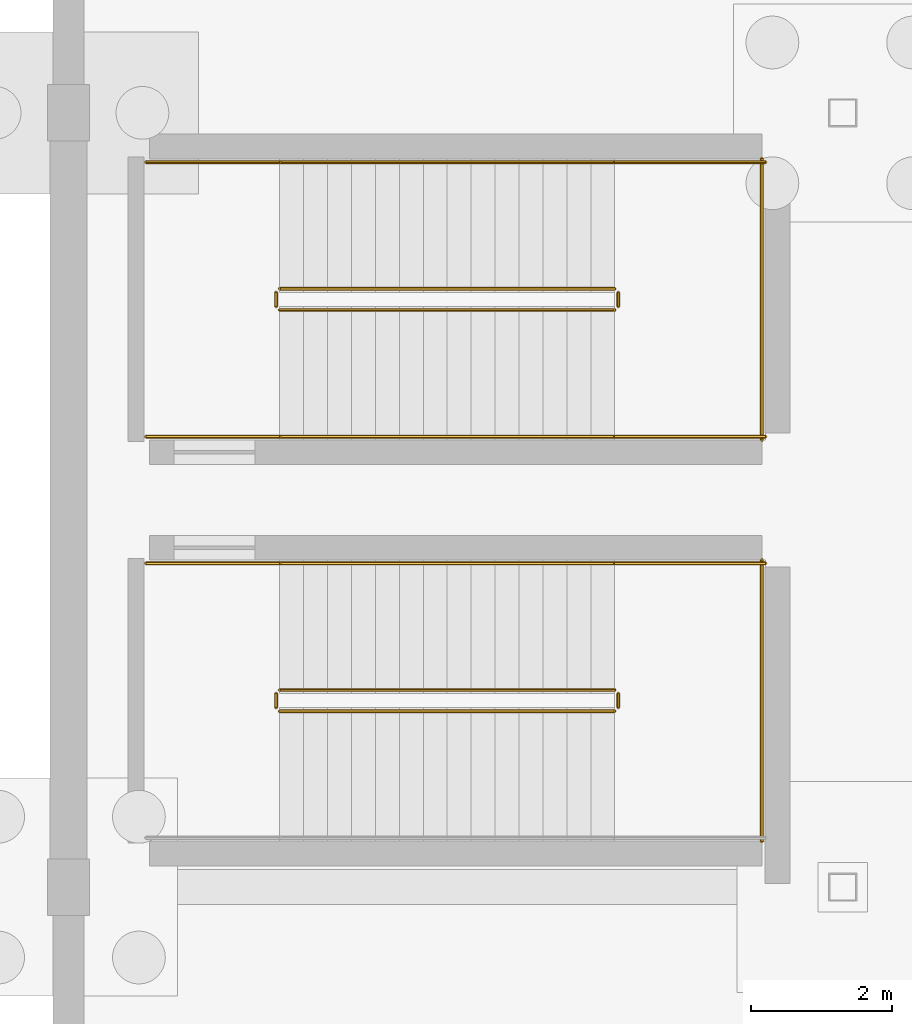
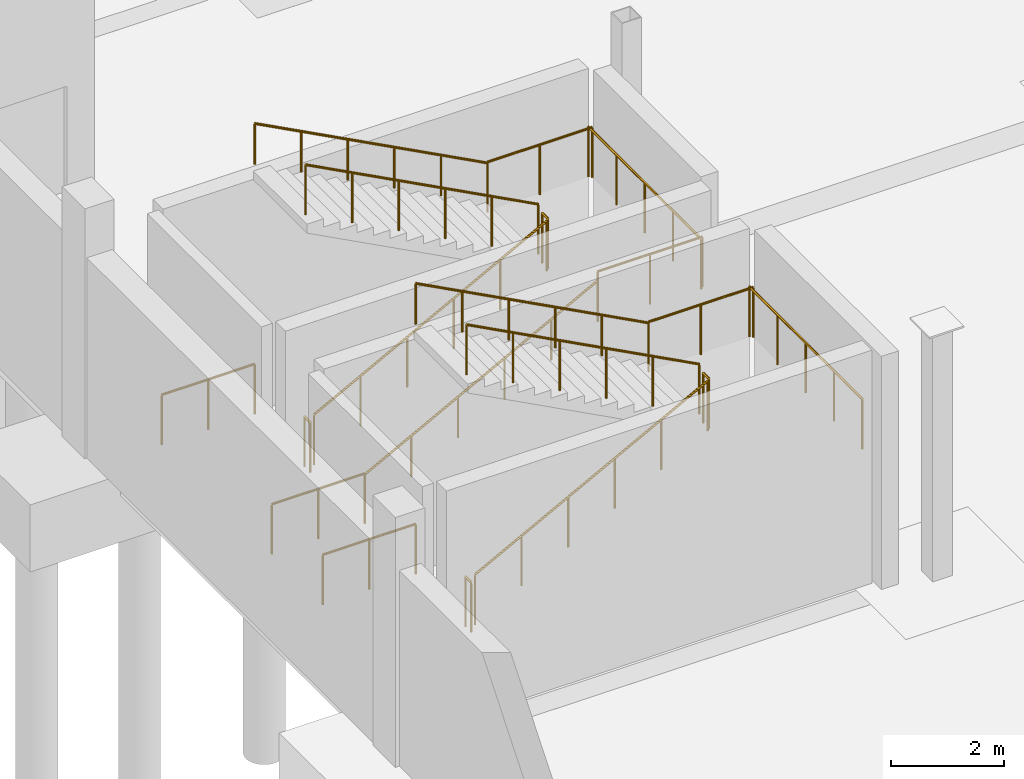
# One storey, part 49 of 60: 19 railings.
"""IFC4 building model written with IfcOpenShell, lengths in metres."""

import ifcopenshell
import ifcopenshell.guid

model = None  # the IFC model being written
_history = None  # IfcOwnerHistory: only IFC2X3 demands one
_inside = {}  # id of a spatial element -> (the spatial element, [elements in it])
_under = {}  # id of a project, library or spatial element -> (it, [spatial elements below it])
_declared = {}  # id of a project -> (the project, [libraries it declares])
_typed = {}  # id of a type object -> (the type object, [elements of that type])
_made_of = {}  # id of a material, layer set ... -> (it, [elements and type objects made of it])


def new_model(schema):
    """Start an empty IFC model of exactly this schema.

    Asked for "IFC4X3", IfcOpenShell would pick the latest addendum, in which some entities
    have other attributes; the version numbers below select the first issue.
    IFC2X3 requires an IfcOwnerHistory on every rooted entity: one is made here for all.
    """
    global model, _history
    if schema == "IFC4X3":
        model = ifcopenshell.file(schema_version=(4, 3, 0, 0))
    else:
        model = ifcopenshell.file(schema=schema)
    _inside.clear()
    _under.clear()
    _declared.clear()
    _typed.clear()
    _made_of.clear()
    _history = None
    if model.schema == "IFC2X3":
        org = make("IfcOrganization", Name="unknown")
        user = make(
            "IfcPersonAndOrganization",
            ThePerson=make("IfcPerson", FamilyName="unknown"),
            TheOrganization=org,
        )
        app = make(
            "IfcApplication",
            ApplicationDeveloper=org,
            Version="unknown",
            ApplicationFullName="unknown",
            ApplicationIdentifier="unknown",
        )
        _history = make(
            "IfcOwnerHistory",
            OwningUser=user,
            OwningApplication=app,
            ChangeAction="ADDED",
            CreationDate=0,
        )
    return model


def make(cls, **values):
    """One entity of the class cls with the attributes given. An attribute that is None is left unset."""
    return model.create_entity(
        cls, **{name: value for name, value in values.items() if value is not None}
    )


def rooted(cls, **values):
    """An entity with a GlobalId (a new one), such as an element, a storey or a relation."""
    return make(cls, GlobalId=ifcopenshell.guid.new(), OwnerHistory=_history, **values)


def si_unit(unit_type, name, prefix=None):
    """IfcSIUnit, for example si_unit("LENGTHUNIT", "METRE", prefix="MILLI")."""
    return make("IfcSIUnit", UnitType=unit_type, Prefix=prefix, Name=name)


def assignment(units):
    """IfcUnitAssignment: the units of a project."""
    return None if units is None else make("IfcUnitAssignment", Units=units)


def point(xyz):
    """IfcCartesianPoint."""
    return None if xyz is None else make("IfcCartesianPoint", Coordinates=xyz)


def direction(xyz):
    """IfcDirection."""
    return None if xyz is None else make("IfcDirection", DirectionRatios=xyz)


def frame(location, z_axis=None, x_axis=None):
    """IfcAxis2Placement3D, a coordinate frame: its origin and axes. An axis left out is left unset."""
    return make(
        "IfcAxis2Placement3D",
        Location=point(location),
        Axis=direction(z_axis),
        RefDirection=direction(x_axis),
    )


def frame_2d(location, x_axis=None):
    """IfcAxis2Placement2D, a coordinate frame in the plane: its origin and x axis."""
    return make(
        "IfcAxis2Placement2D", Location=point(location), RefDirection=direction(x_axis)
    )


def origin():
    """The frame at (0, 0, 0) with its axes left unset."""
    return frame((0.0, 0.0, 0.0))


def origin_2d():
    """The frame at (0, 0) in the plane with its x axis left unset."""
    return frame_2d((0.0, 0.0))


def place(relative_to, where):
    """IfcLocalPlacement: puts the frame where relative to a parent placement (None: the world)."""
    return make(
        "IfcLocalPlacement", PlacementRelTo=relative_to, RelativePlacement=where
    )


def context(
    kind, dimensions, precision=None, world=None, true_north=None, identifier=None
):
    """IfcGeometricRepresentationContext, for example the 3D "Model" context."""
    return make(
        "IfcGeometricRepresentationContext",
        ContextIdentifier=identifier,
        ContextType=kind,
        CoordinateSpaceDimension=dimensions,
        Precision=precision,
        WorldCoordinateSystem=world,
        TrueNorth=true_north,
    )


def subcontext(parent, identifier, kind, view, scale=None):
    """IfcGeometricRepresentationSubContext, for example "Body" below "Model"."""
    return make(
        "IfcGeometricRepresentationSubContext",
        ContextIdentifier=identifier,
        ContextType=kind,
        ParentContext=parent,
        TargetScale=scale,
        TargetView=view,
    )


def project(units=None, contexts=None):
    """IfcProject with its units and contexts."""
    return rooted(
        "IfcProject",
        Name="project",
        RepresentationContexts=contexts,
        UnitsInContext=assignment(units),
    )


def spatial(cls, under=None, at=None, **own):
    """A site, building, storey or space (cls), placed at a placement, below another one or the project."""
    s = rooted(cls, ObjectPlacement=at, **own)
    if under is not None:
        _under.setdefault(under.id(), (under, []))[1].append(s)
    return s


def profile(cls, at=None, kind="AREA", **sizes):
    """A parametric profile (cls). Its sizes go by their IFC names, for example OverallWidth=200.0."""
    return make(cls, ProfileType=kind, Position=at, **sizes)


def circle(**sizes):
    """IfcCircleProfileDef."""
    return profile("IfcCircleProfileDef", **sizes)


def extrude(swept, where, along, depth):
    """IfcExtrudedAreaSolid: the profile swept, set in the frame where, extruded along a direction by depth."""
    return make(
        "IfcExtrudedAreaSolid",
        SweptArea=swept,
        Position=where,
        ExtrudedDirection=direction(along),
        Depth=depth,
    )


def shape(context_of_items, identifier, shape_type, items):
    """IfcShapeRepresentation: the items that make up one representation, for example the "Body"."""
    return make(
        "IfcShapeRepresentation",
        ContextOfItems=context_of_items,
        RepresentationIdentifier=identifier,
        RepresentationType=shape_type,
        Items=items,
    )


def material(Name=None, Category=None):
    """IfcMaterial."""
    return make("IfcMaterial", Name=Name, Category=Category)


def made_of(thing, what):
    """Note that an element or type object is made of a material, layer set ...; save() writes the relation."""
    if what is not None:
        _made_of.setdefault(what.id(), (what, []))[1].append(thing)
    return thing


def type_object(cls, material=None, **own):
    """A type object (cls), such as IfcWallType, which elements share."""
    return made_of(rooted(cls, **own), material)


def element(
    cls,
    number,
    at=None,
    inside=None,
    cuts=None,
    type_object=None,
    material=None,
    context=None,
    identifier="Body",
    shape_type=None,
    held_by="IfcProductDefinitionShape",
    body=None,
    shapes=None,
    **own,
):
    """One element of the class cls, such as IfcWall. Its Tag is "e" and its number.

    at: its placement. inside: the storey or other place that contains it. cuts: it is an
    opening in that element (IfcRelVoidsElement). A single representation is given by context,
    identifier, shape_type and body (its items); several are given by shapes. held_by: the class
    of the entity that holds the representations. save() writes the other relations.
    """
    e = rooted(cls, Tag="e%d" % number, ObjectPlacement=at, **own)
    if body is not None:
        shapes = [shape(context, identifier, shape_type, body)]
    if shapes is not None:
        e.Representation = make(held_by, Representations=shapes)
    if inside is not None:
        _inside.setdefault(inside.id(), (inside, []))[1].append(e)
    if cuts is not None:
        rooted(
            "IfcRelVoidsElement", RelatingBuildingElement=cuts, RelatedOpeningElement=e
        )
    if type_object is not None:
        _typed.setdefault(type_object.id(), (type_object, []))[1].append(e)
    return made_of(e, material)


def aggregate(whole, parts):
    """IfcRelAggregates: a whole, such as a stair, and the parts it consists of."""
    return rooted("IfcRelAggregates", RelatingObject=whole, RelatedObjects=parts)


def save(model, path):
    """Write the relations noted so far, then the file.

    IfcRelAggregates (storeys below a building ...), IfcRelContainedInSpatialStructure (elements
    in a storey), IfcRelDefinesByType, IfcRelAssociatesMaterial and IfcRelDeclares: one each for
    every whole, place, type object, material and project.
    """
    for whole, parts in _under.values():
        aggregate(whole, parts)
    for where, things in _inside.values():
        rooted(
            "IfcRelContainedInSpatialStructure",
            RelatedElements=things,
            RelatingStructure=where,
        )
    for kind, things in _typed.values():
        rooted("IfcRelDefinesByType", RelatedObjects=things, RelatingType=kind)
    for what, things in _made_of.values():
        rooted("IfcRelAssociatesMaterial", RelatedObjects=things, RelatingMaterial=what)
    for by, libraries in _declared.values():
        rooted("IfcRelDeclares", RelatingContext=by, RelatedDefinitions=libraries)
    model.write(path)


model = new_model("IFC4")

# Units and contexts
model_context = context("Model", 3, precision=1e-05, world=origin(), true_north=direction((0.0, 1.0)))
body_context = subcontext(model_context, "Body", "Model", "MODEL_VIEW")
ifc_project = project(units=[si_unit("LENGTHUNIT", "METRE"), si_unit("AREAUNIT", "SQUARE_METRE"), si_unit("VOLUMEUNIT", "CUBIC_METRE"), si_unit("PLANEANGLEUNIT", "RADIAN"), si_unit("MASSUNIT", "GRAM", prefix="KILO")], contexts=[model_context])

# Site, building, storey
site_placement = place(None, origin())
site = spatial("IfcSite", under=ifc_project, at=site_placement, CompositionType="ELEMENT")
building_placement = place(site_placement, origin())
building = spatial("IfcBuilding", under=site, at=building_placement, Name="Luwafu Chhajja Arena", CompositionType="ELEMENT")
storey_placement = place(building_placement, frame((0.0, 0.0, -5.39990234375)))
storey = spatial("IfcBuildingStorey", under=building, at=storey_placement, Name="B1", CompositionType="ELEMENT", Elevation=-5.39990234375)

# Railings
ifc_material_1 = material(Name="Stainless steel handrail", Category="steel")
railing_type_1 = type_object("IfcRailingType", Name="Stair Pitch Wall Handrail 920", PredefinedType="HANDRAIL", material=ifc_material_1)
railing_1_placement = place(storey_placement, frame((7.760009765625, 26.60009765625, 2.8798828125)))
element("IfcRailing", 1, at=railing_1_placement, inside=storey, type_object=railing_type_1, Name="B1 ST-13 stair handrail 2", PredefinedType="HANDRAIL", context=body_context, shape_type="SweptSolid", body=[
    extrude(circle(Radius=0.02392578125, at=origin_2d()), frame((0.0, 0.0, 0.8759765625), z_axis=(-0.883786813738, 0.0, 0.467889803119), x_axis=(0.0, -1.0, 0.0)), (0.0, 0.0, 1.0), 5.385986328125),
    extrude(circle(Radius=0.02099609375, at=origin_2d()), origin(), (0.0, 0.0, 1.0), 0.851806640625),
    extrude(circle(Radius=0.02099609375, at=origin_2d()), frame((-0.951904296875, 0.0, 0.50390625)), (0.0, 0.0, 1.0), 0.851806640625),
    extrude(circle(Radius=0.02099609375, at=origin_2d()), frame((-1.904052734375, 0.0, 1.008056640625)), (0.0, 0.0, 1.0), 0.851806640625),
    extrude(circle(Radius=0.02099609375, at=origin_2d()), frame((-2.85595703125, 0.0, 1.511962890625)), (0.0, 0.0, 1.0), 0.851806640625),
    extrude(circle(Radius=0.02099609375, at=origin_2d()), frame((-3.80810546875, 0.0, 2.01611328125)), (0.0, 0.0, 1.0), 0.851806640625),
    extrude(circle(Radius=0.02099609375, at=origin_2d()), frame((-4.760009765625, 0.0, 2.52001953125)), (0.0, 0.0, 1.0), 0.851806640625),
])
railing_2_placement = place(storey_placement, frame((3.0, 28.39990234375, 0.179931640625)))
element("IfcRailing", 2, at=railing_2_placement, inside=storey, type_object=railing_type_1, Name="B1 ST-14 stair handrail 1", PredefinedType="HANDRAIL", context=body_context, shape_type="SweptSolid", body=[
    extrude(circle(Radius=0.02392578125, at=origin_2d()), frame((0.0, 0.0, 0.8759765625), z_axis=(0.883786813738, 0.0, 0.467889803119), x_axis=(0.0, 1.0, 0.0)), (0.0, 0.0, 1.0), 5.385986328125),
    extrude(circle(Radius=0.02099609375, at=origin_2d()), origin(), (0.0, 0.0, 1.0), 0.851806640625),
    extrude(circle(Radius=0.02099609375, at=origin_2d()), frame((0.951904296875, 0.0, 0.50390625)), (0.0, 0.0, 1.0), 0.851806640625),
    extrude(circle(Radius=0.02099609375, at=origin_2d()), frame((1.904052734375, 0.0, 1.008056640625)), (0.0, 0.0, 1.0), 0.851806640625),
    extrude(circle(Radius=0.02099609375, at=origin_2d()), frame((2.85595703125, 0.0, 1.511962890625)), (0.0, 0.0, 1.0), 0.851806640625),
    extrude(circle(Radius=0.02099609375, at=origin_2d()), frame((3.80810546875, 0.0, 2.01611328125)), (0.0, 0.0, 1.0), 0.851806640625),
    extrude(circle(Radius=0.02099609375, at=origin_2d()), frame((4.760009765625, 0.0, 2.52001953125)), (0.0, 0.0, 1.0), 0.851806640625),
])
railing_3_placement = place(storey_placement, frame((7.760009765625, 32.300048828125, 2.8798828125)))
element("IfcRailing", 3, at=railing_3_placement, inside=storey, type_object=railing_type_1, Name="B1 ST-14 stair handrail 2", PredefinedType="HANDRAIL", context=body_context, shape_type="SweptSolid", body=[
    extrude(circle(Radius=0.02392578125, at=origin_2d()), frame((0.0, 0.0, 0.8759765625), z_axis=(-0.883786813738, 0.0, 0.467889803119), x_axis=(0.0, -1.0, 0.0)), (0.0, 0.0, 1.0), 5.385986328125),
    extrude(circle(Radius=0.02099609375, at=origin_2d()), origin(), (0.0, 0.0, 1.0), 0.851806640625),
    extrude(circle(Radius=0.02099609375, at=origin_2d()), frame((-0.951904296875, 0.0, 0.50390625)), (0.0, 0.0, 1.0), 0.851806640625),
    extrude(circle(Radius=0.02099609375, at=origin_2d()), frame((-1.904052734375, 0.0, 1.008056640625)), (0.0, 0.0, 1.0), 0.851806640625),
    extrude(circle(Radius=0.02099609375, at=origin_2d()), frame((-2.85595703125, 0.0, 1.511962890625)), (0.0, 0.0, 1.0), 0.851806640625),
    extrude(circle(Radius=0.02099609375, at=origin_2d()), frame((-3.80810546875, 0.0, 2.01611328125)), (0.0, 0.0, 1.0), 0.851806640625),
    extrude(circle(Radius=0.02099609375, at=origin_2d()), frame((-4.760009765625, 0.0, 2.52001953125)), (0.0, 0.0, 1.0), 0.851806640625),
])
ifc_material_2 = material(Name="Stainless steel balustrade", Category="steel")
railing_type_2 = type_object("IfcRailingType", Name="Stair and Terrace Guard Balustrade 1100", PredefinedType="BALUSTRADE", material=ifc_material_2)
railing_4_placement = place(storey_placement, frame((3.0, 24.5, 0.179931640625)))
element("IfcRailing", 4, at=railing_4_placement, inside=storey, type_object=railing_type_2, Name="B1 ST-13 stair guard 1", PredefinedType="BALUSTRADE", context=body_context, shape_type="SweptSolid", body=[
    extrude(circle(Radius=0.02392578125, at=origin_2d()), frame((0.0, 0.0, 1.076171875), z_axis=(0.883786813738, 0.0, 0.467889803119), x_axis=(0.0, 1.0, 0.0)), (0.0, 0.0, 1.0), 5.385986328125),
    extrude(circle(Radius=0.02099609375, at=origin_2d()), origin(), (0.0, 0.0, 1.0), 1.052001953125),
    extrude(circle(Radius=0.02099609375, at=origin_2d()), frame((0.951904296875, 0.0, 0.50390625)), (0.0, 0.0, 1.0), 1.052001953125),
    extrude(circle(Radius=0.02099609375, at=origin_2d()), frame((1.904052734375, 0.0, 1.008056640625)), (0.0, 0.0, 1.0), 1.052001953125),
    extrude(circle(Radius=0.02099609375, at=origin_2d()), frame((2.85595703125, 0.0, 1.511962890625)), (0.0, 0.0, 1.0), 1.052001953125),
    extrude(circle(Radius=0.02099609375, at=origin_2d()), frame((3.80810546875, 0.0, 2.01611328125)), (0.0, 0.0, 1.0), 1.052001953125),
    extrude(circle(Radius=0.02099609375, at=origin_2d()), frame((4.760009765625, 0.0, 2.52001953125)), (0.0, 0.0, 1.0), 1.052001953125),
])
railing_5_placement = place(storey_placement, frame((7.81005859375, 24.550048828125, 2.699951171875)))
element("IfcRailing", 5, at=railing_5_placement, inside=storey, type_object=railing_type_2, Name="B1 ST-13 stair guard 2", PredefinedType="BALUSTRADE", context=body_context, shape_type="SweptSolid", body=[
    extrude(circle(Radius=0.02392578125, at=origin_2d()), frame((0.0, 0.0, 1.076171875), z_axis=(0.0, 1.0, 0.0), x_axis=(-1.0, 0.0, 0.0)), (0.0, 0.0, 1.0), 0.199951171875),
    extrude(circle(Radius=0.02099609375, at=origin_2d()), origin(), (0.0, 0.0, 1.0), 1.052001953125),
    extrude(circle(Radius=0.02099609375, at=origin_2d()), frame((0.0, 0.199951171875, 0.0)), (0.0, 0.0, 1.0), 1.052001953125),
])
railing_6_placement = place(storey_placement, frame((7.760009765625, 26.60009765625, 2.699951171875)))
element("IfcRailing", 6, at=railing_6_placement, inside=storey, type_object=railing_type_2, Name="B1 ST-13 stair guard 4", PredefinedType="BALUSTRADE", context=body_context, shape_type="SweptSolid", body=[
    extrude(circle(Radius=0.02392578125, at=origin_2d()), frame((0.0, 0.0, 1.076171875), z_axis=(1.0, 0.0, 0.0), x_axis=(0.0, 1.0, 0.0)), (0.0, 0.0, 1.0), 2.139892578125),
    extrude(circle(Radius=0.02099609375, at=origin_2d()), origin(), (0.0, 0.0, 1.0), 1.052001953125),
    extrude(circle(Radius=0.02099609375, at=origin_2d()), frame((1.06982421875, 0.0, 0.0)), (0.0, 0.0, 1.0), 1.052001953125),
    extrude(circle(Radius=0.02099609375, at=origin_2d()), frame((2.139892578125, 0.0, 0.0)), (0.0, 0.0, 1.0), 1.052001953125),
])
railing_7_placement = place(storey_placement, frame((9.85009765625, 22.64990234375, 2.699951171875)))
element("IfcRailing", 7, at=railing_7_placement, inside=storey, type_object=railing_type_2, Name="B1 ST-13 stair guard 5", PredefinedType="BALUSTRADE", context=body_context, shape_type="SweptSolid", body=[
    extrude(circle(Radius=0.02392578125, at=origin_2d()), frame((0.0, 0.0, 1.076171875), z_axis=(0.0, 1.0, 0.0), x_axis=(-1.0, 0.0, 0.0)), (0.0, 0.0, 1.0), 4.0),
    extrude(circle(Radius=0.02099609375, at=origin_2d()), origin(), (0.0, 0.0, 1.0), 1.052001953125),
    extrude(circle(Radius=0.02099609375, at=origin_2d()), frame((0.0, 1.0, 0.0)), (0.0, 0.0, 1.0), 1.052001953125),
    extrude(circle(Radius=0.02099609375, at=origin_2d()), frame((0.0, 2.0, 0.0)), (0.0, 0.0, 1.0), 1.052001953125),
    extrude(circle(Radius=0.02099609375, at=origin_2d()), frame((0.0, 3.0, 0.0)), (0.0, 0.0, 1.0), 1.052001953125),
    extrude(circle(Radius=0.02099609375, at=origin_2d()), frame((0.0, 4.0, 0.0)), (0.0, 0.0, 1.0), 1.052001953125),
])
railing_8_placement = place(storey_placement, frame((7.760009765625, 24.800048828125, 2.8798828125)))
element("IfcRailing", 8, at=railing_8_placement, inside=storey, type_object=railing_type_2, Name="B1 ST-13 stair guard 6", PredefinedType="BALUSTRADE", context=body_context, shape_type="SweptSolid", body=[
    extrude(circle(Radius=0.02392578125, at=origin_2d()), frame((0.0, 0.0, 1.076171875), z_axis=(-0.883786813738, 0.0, 0.467889803119), x_axis=(0.0, -1.0, 0.0)), (0.0, 0.0, 1.0), 5.385986328125),
    extrude(circle(Radius=0.02099609375, at=origin_2d()), origin(), (0.0, 0.0, 1.0), 1.052001953125),
    extrude(circle(Radius=0.02099609375, at=origin_2d()), frame((-0.951904296875, 0.0, 0.50390625)), (0.0, 0.0, 1.0), 1.052001953125),
    extrude(circle(Radius=0.02099609375, at=origin_2d()), frame((-1.904052734375, 0.0, 1.008056640625)), (0.0, 0.0, 1.0), 1.052001953125),
    extrude(circle(Radius=0.02099609375, at=origin_2d()), frame((-2.85595703125, 0.0, 1.511962890625)), (0.0, 0.0, 1.0), 1.052001953125),
    extrude(circle(Radius=0.02099609375, at=origin_2d()), frame((-3.80810546875, 0.0, 2.01611328125)), (0.0, 0.0, 1.0), 1.052001953125),
    extrude(circle(Radius=0.02099609375, at=origin_2d()), frame((-4.760009765625, 0.0, 2.52001953125)), (0.0, 0.0, 1.0), 1.052001953125),
])
railing_9_placement = place(storey_placement, frame((2.949951171875, 24.550048828125, 0.0)))
element("IfcRailing", 9, at=railing_9_placement, inside=storey, type_object=railing_type_2, Name="B1 ST-13 stair guard 7", PredefinedType="BALUSTRADE", context=body_context, shape_type="SweptSolid", body=[
    extrude(circle(Radius=0.02392578125, at=origin_2d()), frame((0.0, 0.0, 1.076171875), z_axis=(0.0, 1.0, 0.0), x_axis=(-1.0, 0.0, 0.0)), (0.0, 0.0, 1.0), 0.199951171875),
    extrude(circle(Radius=0.02099609375, at=origin_2d()), origin(), (0.0, 0.0, 1.0), 1.052001953125),
    extrude(circle(Radius=0.02099609375, at=origin_2d()), frame((0.0, 0.199951171875, 0.0)), (0.0, 0.0, 1.0), 1.052001953125),
])
railing_10_placement = place(storey_placement, frame((1.10009765625, 26.60009765625, 0.0)))
element("IfcRailing", 10, at=railing_10_placement, inside=storey, type_object=railing_type_2, Name="B1 ST-13 stair guard 9", PredefinedType="BALUSTRADE", context=body_context, shape_type="SweptSolid", body=[
    extrude(circle(Radius=0.02392578125, at=origin_2d()), frame((0.0, 0.0, 1.076171875), z_axis=(1.0, 0.0, 0.0), x_axis=(0.0, 1.0, 0.0)), (0.0, 0.0, 1.0), 1.89990234375),
    extrude(circle(Radius=0.02099609375, at=origin_2d()), origin(), (0.0, 0.0, 1.0), 1.052001953125),
    extrude(circle(Radius=0.02099609375, at=origin_2d()), frame((0.949951171875, 0.0, 0.0)), (0.0, 0.0, 1.0), 1.052001953125),
    extrude(circle(Radius=0.02099609375, at=origin_2d()), frame((1.89990234375, 0.0, 0.0)), (0.0, 0.0, 1.0), 1.052001953125),
])
railing_11_placement = place(storey_placement, frame((3.0, 30.199951171875, 0.179931640625)))
element("IfcRailing", 11, at=railing_11_placement, inside=storey, type_object=railing_type_2, Name="B1 ST-14 stair guard 1", PredefinedType="BALUSTRADE", context=body_context, shape_type="SweptSolid", body=[
    extrude(circle(Radius=0.02392578125, at=origin_2d()), frame((0.0, 0.0, 1.076171875), z_axis=(0.883786813738, 0.0, 0.467889803119), x_axis=(0.0, 1.0, 0.0)), (0.0, 0.0, 1.0), 5.385986328125),
    extrude(circle(Radius=0.02099609375, at=origin_2d()), origin(), (0.0, 0.0, 1.0), 1.052001953125),
    extrude(circle(Radius=0.02099609375, at=origin_2d()), frame((0.951904296875, 0.0, 0.50390625)), (0.0, 0.0, 1.0), 1.052001953125),
    extrude(circle(Radius=0.02099609375, at=origin_2d()), frame((1.904052734375, 0.0, 1.008056640625)), (0.0, 0.0, 1.0), 1.052001953125),
    extrude(circle(Radius=0.02099609375, at=origin_2d()), frame((2.85595703125, 0.0, 1.511962890625)), (0.0, 0.0, 1.0), 1.052001953125),
    extrude(circle(Radius=0.02099609375, at=origin_2d()), frame((3.80810546875, 0.0, 2.01611328125)), (0.0, 0.0, 1.0), 1.052001953125),
    extrude(circle(Radius=0.02099609375, at=origin_2d()), frame((4.760009765625, 0.0, 2.52001953125)), (0.0, 0.0, 1.0), 1.052001953125),
])
railing_12_placement = place(storey_placement, frame((7.81005859375, 30.25, 2.699951171875)))
element("IfcRailing", 12, at=railing_12_placement, inside=storey, type_object=railing_type_2, Name="B1 ST-14 stair guard 2", PredefinedType="BALUSTRADE", context=body_context, shape_type="SweptSolid", body=[
    extrude(circle(Radius=0.02392578125, at=origin_2d()), frame((0.0, 0.0, 1.076171875), z_axis=(0.0, 1.0, 0.0), x_axis=(-1.0, 0.0, 0.0)), (0.0, 0.0, 1.0), 0.199951171875),
    extrude(circle(Radius=0.02099609375, at=origin_2d()), origin(), (0.0, 0.0, 1.0), 1.052001953125),
    extrude(circle(Radius=0.02099609375, at=origin_2d()), frame((0.0, 0.199951171875, 0.0)), (0.0, 0.0, 1.0), 1.052001953125),
])
for number, where, name in (
    (13, (7.760009765625, 28.39990234375, 2.699951171875), "B1 ST-14 stair guard 3"),
    (14, (7.760009765625, 32.300048828125, 2.699951171875), "B1 ST-14 stair guard 4"),
):
    element("IfcRailing", number, at=place(storey_placement, frame(where)), inside=storey, type_object=railing_type_2, Name=name, PredefinedType="BALUSTRADE", context=body_context, shape_type="SweptSolid", body=[
        extrude(circle(Radius=0.02392578125, at=origin_2d()), frame((0.0, 0.0, 1.076171875), z_axis=(1.0, 0.0, 0.0), x_axis=(0.0, 1.0, 0.0)), (0.0, 0.0, 1.0), 2.139892578125),
        extrude(circle(Radius=0.02099609375, at=origin_2d()), origin(), (0.0, 0.0, 1.0), 1.052001953125),
        extrude(circle(Radius=0.02099609375, at=origin_2d()), frame((1.06982421875, 0.0, 0.0)), (0.0, 0.0, 1.0), 1.052001953125),
        extrude(circle(Radius=0.02099609375, at=origin_2d()), frame((2.139892578125, 0.0, 0.0)), (0.0, 0.0, 1.0), 1.052001953125),
    ])
railing_13_placement = place(storey_placement, frame((9.85009765625, 28.35009765625, 2.699951171875)))
element("IfcRailing", 15, at=railing_13_placement, inside=storey, type_object=railing_type_2, Name="B1 ST-14 stair guard 5", PredefinedType="BALUSTRADE", context=body_context, shape_type="SweptSolid", body=[
    extrude(circle(Radius=0.02392578125, at=origin_2d()), frame((0.0, 0.0, 1.076171875), z_axis=(0.0, 1.0, 0.0), x_axis=(-1.0, 0.0, 0.0)), (0.0, 0.0, 1.0), 4.0),
    extrude(circle(Radius=0.02099609375, at=origin_2d()), origin(), (0.0, 0.0, 1.0), 1.052001953125),
    extrude(circle(Radius=0.02099609375, at=origin_2d()), frame((0.0, 1.0, 0.0)), (0.0, 0.0, 1.0), 1.052001953125),
    extrude(circle(Radius=0.02099609375, at=origin_2d()), frame((0.0, 2.0, 0.0)), (0.0, 0.0, 1.0), 1.052001953125),
    extrude(circle(Radius=0.02099609375, at=origin_2d()), frame((0.0, 3.0, 0.0)), (0.0, 0.0, 1.0), 1.052001953125),
    extrude(circle(Radius=0.02099609375, at=origin_2d()), frame((0.0, 4.0, 0.0)), (0.0, 0.0, 1.0), 1.052001953125),
])
railing_14_placement = place(storey_placement, frame((7.760009765625, 30.5, 2.8798828125)))
element("IfcRailing", 16, at=railing_14_placement, inside=storey, type_object=railing_type_2, Name="B1 ST-14 stair guard 6", PredefinedType="BALUSTRADE", context=body_context, shape_type="SweptSolid", body=[
    extrude(circle(Radius=0.02392578125, at=origin_2d()), frame((0.0, 0.0, 1.076171875), z_axis=(-0.883786813738, 0.0, 0.467889803119), x_axis=(0.0, -1.0, 0.0)), (0.0, 0.0, 1.0), 5.385986328125),
    extrude(circle(Radius=0.02099609375, at=origin_2d()), origin(), (0.0, 0.0, 1.0), 1.052001953125),
    extrude(circle(Radius=0.02099609375, at=origin_2d()), frame((-0.951904296875, 0.0, 0.50390625)), (0.0, 0.0, 1.0), 1.052001953125),
    extrude(circle(Radius=0.02099609375, at=origin_2d()), frame((-1.904052734375, 0.0, 1.008056640625)), (0.0, 0.0, 1.0), 1.052001953125),
    extrude(circle(Radius=0.02099609375, at=origin_2d()), frame((-2.85595703125, 0.0, 1.511962890625)), (0.0, 0.0, 1.0), 1.052001953125),
    extrude(circle(Radius=0.02099609375, at=origin_2d()), frame((-3.80810546875, 0.0, 2.01611328125)), (0.0, 0.0, 1.0), 1.052001953125),
    extrude(circle(Radius=0.02099609375, at=origin_2d()), frame((-4.760009765625, 0.0, 2.52001953125)), (0.0, 0.0, 1.0), 1.052001953125),
])
railing_15_placement = place(storey_placement, frame((2.949951171875, 30.25, 0.0)))
element("IfcRailing", 17, at=railing_15_placement, inside=storey, type_object=railing_type_2, Name="B1 ST-14 stair guard 7", PredefinedType="BALUSTRADE", context=body_context, shape_type="SweptSolid", body=[
    extrude(circle(Radius=0.02392578125, at=origin_2d()), frame((0.0, 0.0, 1.076171875), z_axis=(0.0, 1.0, 0.0), x_axis=(-1.0, 0.0, 0.0)), (0.0, 0.0, 1.0), 0.199951171875),
    extrude(circle(Radius=0.02099609375, at=origin_2d()), origin(), (0.0, 0.0, 1.0), 1.052001953125),
    extrude(circle(Radius=0.02099609375, at=origin_2d()), frame((0.0, 0.199951171875, 0.0)), (0.0, 0.0, 1.0), 1.052001953125),
])
for number, where, name in (
    (18, (1.10009765625, 28.39990234375, 0.0), "B1 ST-14 stair guard 8"),
    (19, (1.10009765625, 32.300048828125, 0.0), "B1 ST-14 stair guard 9"),
):
    element("IfcRailing", number, at=place(storey_placement, frame(where)), inside=storey, type_object=railing_type_2, Name=name, PredefinedType="BALUSTRADE", context=body_context, shape_type="SweptSolid", body=[
        extrude(circle(Radius=0.02392578125, at=origin_2d()), frame((0.0, 0.0, 1.076171875), z_axis=(1.0, 0.0, 0.0), x_axis=(0.0, 1.0, 0.0)), (0.0, 0.0, 1.0), 1.89990234375),
        extrude(circle(Radius=0.02099609375, at=origin_2d()), origin(), (0.0, 0.0, 1.0), 1.052001953125),
        extrude(circle(Radius=0.02099609375, at=origin_2d()), frame((0.949951171875, 0.0, 0.0)), (0.0, 0.0, 1.0), 1.052001953125),
        extrude(circle(Radius=0.02099609375, at=origin_2d()), frame((1.89990234375, 0.0, 0.0)), (0.0, 0.0, 1.0), 1.052001953125),
    ])

save(model, "model.ifc")
